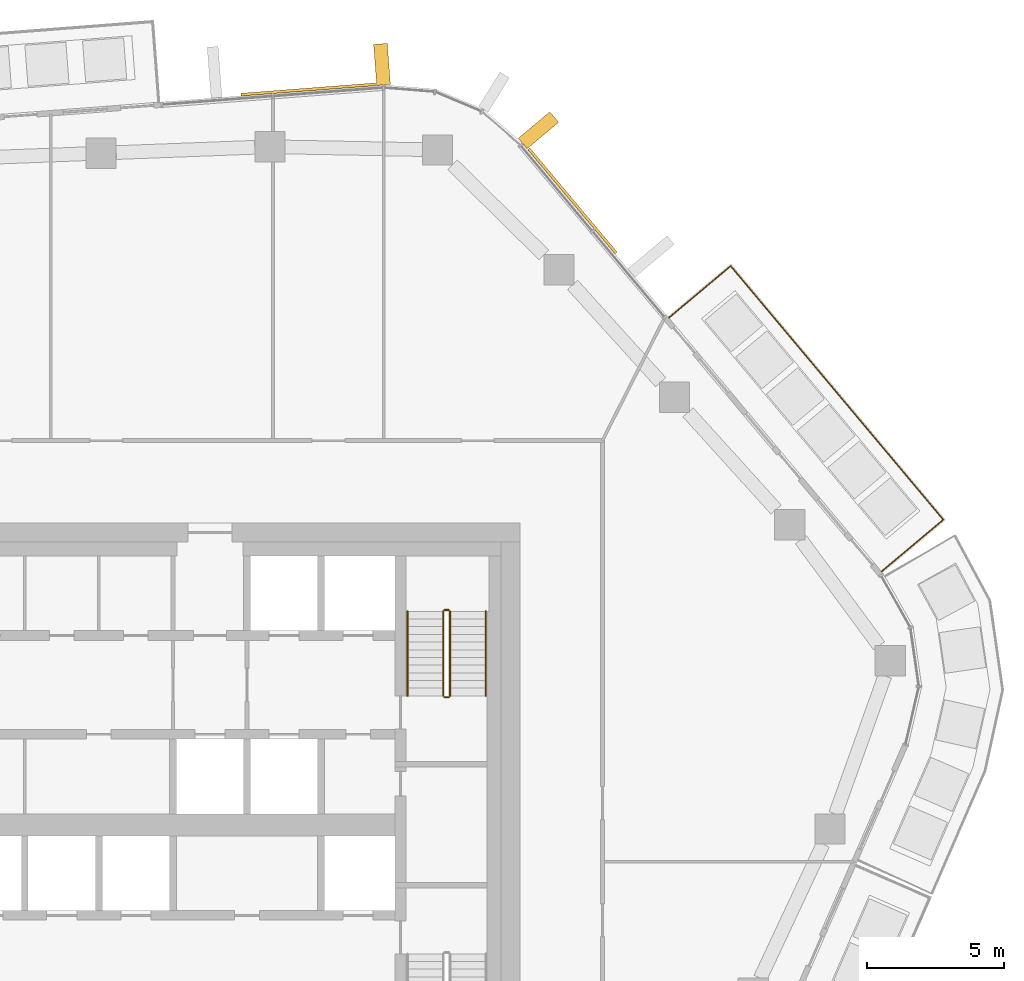
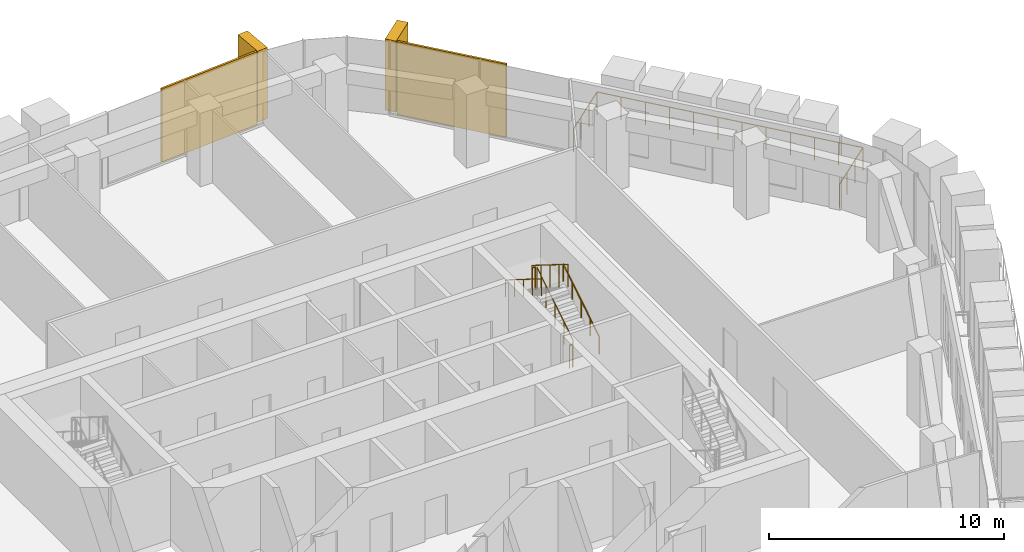
# One storey, part 20 of 20: 7 railings, 4 coverings, 2 elements without a shape of their own.
"""IFC4 building model written with IfcOpenShell, lengths in metres."""

import ifcopenshell
import ifcopenshell.guid

model = None  # the IFC model being written
_history = None  # IfcOwnerHistory: only IFC2X3 demands one
_inside = {}  # id of a spatial element -> (the spatial element, [elements in it])
_under = {}  # id of a project, library or spatial element -> (it, [spatial elements below it])
_declared = {}  # id of a project -> (the project, [libraries it declares])
_typed = {}  # id of a type object -> (the type object, [elements of that type])
_made_of = {}  # id of a material, layer set ... -> (it, [elements and type objects made of it])


def new_model(schema):
    """Start an empty IFC model of exactly this schema.

    Asked for "IFC4X3", IfcOpenShell would pick the latest addendum, in which some entities
    have other attributes; the version numbers below select the first issue.
    IFC2X3 requires an IfcOwnerHistory on every rooted entity: one is made here for all.
    """
    global model, _history
    if schema == "IFC4X3":
        model = ifcopenshell.file(schema_version=(4, 3, 0, 0))
    else:
        model = ifcopenshell.file(schema=schema)
    _inside.clear()
    _under.clear()
    _declared.clear()
    _typed.clear()
    _made_of.clear()
    _history = None
    if model.schema == "IFC2X3":
        org = make("IfcOrganization", Name="unknown")
        user = make(
            "IfcPersonAndOrganization",
            ThePerson=make("IfcPerson", FamilyName="unknown"),
            TheOrganization=org,
        )
        app = make(
            "IfcApplication",
            ApplicationDeveloper=org,
            Version="unknown",
            ApplicationFullName="unknown",
            ApplicationIdentifier="unknown",
        )
        _history = make(
            "IfcOwnerHistory",
            OwningUser=user,
            OwningApplication=app,
            ChangeAction="ADDED",
            CreationDate=0,
        )
    return model


def make(cls, **values):
    """One entity of the class cls with the attributes given. An attribute that is None is left unset."""
    return model.create_entity(
        cls, **{name: value for name, value in values.items() if value is not None}
    )


def rooted(cls, **values):
    """An entity with a GlobalId (a new one), such as an element, a storey or a relation."""
    return make(cls, GlobalId=ifcopenshell.guid.new(), OwnerHistory=_history, **values)


def si_unit(unit_type, name, prefix=None):
    """IfcSIUnit, for example si_unit("LENGTHUNIT", "METRE", prefix="MILLI")."""
    return make("IfcSIUnit", UnitType=unit_type, Prefix=prefix, Name=name)


def assignment(units):
    """IfcUnitAssignment: the units of a project."""
    return None if units is None else make("IfcUnitAssignment", Units=units)


def point(xyz):
    """IfcCartesianPoint."""
    return None if xyz is None else make("IfcCartesianPoint", Coordinates=xyz)


def direction(xyz):
    """IfcDirection."""
    return None if xyz is None else make("IfcDirection", DirectionRatios=xyz)


def frame(location, z_axis=None, x_axis=None):
    """IfcAxis2Placement3D, a coordinate frame: its origin and axes. An axis left out is left unset."""
    return make(
        "IfcAxis2Placement3D",
        Location=point(location),
        Axis=direction(z_axis),
        RefDirection=direction(x_axis),
    )


def frame_2d(location, x_axis=None):
    """IfcAxis2Placement2D, a coordinate frame in the plane: its origin and x axis."""
    return make(
        "IfcAxis2Placement2D", Location=point(location), RefDirection=direction(x_axis)
    )


def origin():
    """The frame at (0, 0, 0) with its axes left unset."""
    return frame((0.0, 0.0, 0.0))


def origin_2d():
    """The frame at (0, 0) in the plane with its x axis left unset."""
    return frame_2d((0.0, 0.0))


def place(relative_to, where):
    """IfcLocalPlacement: puts the frame where relative to a parent placement (None: the world)."""
    return make(
        "IfcLocalPlacement", PlacementRelTo=relative_to, RelativePlacement=where
    )


def context(
    kind, dimensions, precision=None, world=None, true_north=None, identifier=None
):
    """IfcGeometricRepresentationContext, for example the 3D "Model" context."""
    return make(
        "IfcGeometricRepresentationContext",
        ContextIdentifier=identifier,
        ContextType=kind,
        CoordinateSpaceDimension=dimensions,
        Precision=precision,
        WorldCoordinateSystem=world,
        TrueNorth=true_north,
    )


def subcontext(parent, identifier, kind, view, scale=None):
    """IfcGeometricRepresentationSubContext, for example "Body" below "Model"."""
    return make(
        "IfcGeometricRepresentationSubContext",
        ContextIdentifier=identifier,
        ContextType=kind,
        ParentContext=parent,
        TargetScale=scale,
        TargetView=view,
    )


def project(units=None, contexts=None):
    """IfcProject with its units and contexts."""
    return rooted(
        "IfcProject",
        Name="project",
        RepresentationContexts=contexts,
        UnitsInContext=assignment(units),
    )


def spatial(cls, under=None, at=None, **own):
    """A site, building, storey or space (cls), placed at a placement, below another one or the project."""
    s = rooted(cls, ObjectPlacement=at, **own)
    if under is not None:
        _under.setdefault(under.id(), (under, []))[1].append(s)
    return s


def profile(cls, at=None, kind="AREA", **sizes):
    """A parametric profile (cls). Its sizes go by their IFC names, for example OverallWidth=200.0."""
    return make(cls, ProfileType=kind, Position=at, **sizes)


def rectangle(**sizes):
    """IfcRectangleProfileDef."""
    return profile("IfcRectangleProfileDef", **sizes)


def circle(**sizes):
    """IfcCircleProfileDef."""
    return profile("IfcCircleProfileDef", **sizes)


def extrude(swept, where, along, depth):
    """IfcExtrudedAreaSolid: the profile swept, set in the frame where, extruded along a direction by depth."""
    return make(
        "IfcExtrudedAreaSolid",
        SweptArea=swept,
        Position=where,
        ExtrudedDirection=direction(along),
        Depth=depth,
    )


def shape(context_of_items, identifier, shape_type, items):
    """IfcShapeRepresentation: the items that make up one representation, for example the "Body"."""
    return make(
        "IfcShapeRepresentation",
        ContextOfItems=context_of_items,
        RepresentationIdentifier=identifier,
        RepresentationType=shape_type,
        Items=items,
    )


def material(Name=None, Category=None):
    """IfcMaterial."""
    return make("IfcMaterial", Name=Name, Category=Category)


def layer(
    of_material, thickness, ventilated=None, Name=None, Category=None, Priority=None
):
    """IfcMaterialLayer: one layer of a wall or slab, of a material (None: an air gap)."""
    return make(
        "IfcMaterialLayer",
        Material=of_material,
        LayerThickness=thickness,
        IsVentilated=ventilated,
        Name=Name,
        Category=Category,
        Priority=Priority,
    )


def layer_set(layers, Name=None):
    """IfcMaterialLayerSet."""
    return make("IfcMaterialLayerSet", MaterialLayers=layers, LayerSetName=Name)


def material_profile(
    of_material, cross_section, Name=None, Category=None, Priority=None
):
    """IfcMaterialProfile: a cross section and its material."""
    return make(
        "IfcMaterialProfile",
        Name=Name,
        Material=of_material,
        Profile=cross_section,
        Priority=Priority,
        Category=Category,
    )


def profile_set(profiles, Name=None, composite=None):
    """IfcMaterialProfileSet."""
    return make(
        "IfcMaterialProfileSet",
        Name=Name,
        MaterialProfiles=profiles,
        CompositeProfile=composite,
    )


def made_of(thing, what):
    """Note that an element or type object is made of a material, layer set ...; save() writes the relation."""
    if what is not None:
        _made_of.setdefault(what.id(), (what, []))[1].append(thing)
    return thing


def type_object(cls, material=None, **own):
    """A type object (cls), such as IfcWallType, which elements share."""
    return made_of(rooted(cls, **own), material)


def element(
    cls,
    number,
    at=None,
    inside=None,
    cuts=None,
    type_object=None,
    material=None,
    context=None,
    identifier="Body",
    shape_type=None,
    held_by="IfcProductDefinitionShape",
    body=None,
    shapes=None,
    **own,
):
    """One element of the class cls, such as IfcWall. Its Tag is "e" and its number.

    at: its placement. inside: the storey or other place that contains it. cuts: it is an
    opening in that element (IfcRelVoidsElement). A single representation is given by context,
    identifier, shape_type and body (its items); several are given by shapes. held_by: the class
    of the entity that holds the representations. save() writes the other relations.
    """
    e = rooted(cls, Tag="e%d" % number, ObjectPlacement=at, **own)
    if body is not None:
        shapes = [shape(context, identifier, shape_type, body)]
    if shapes is not None:
        e.Representation = make(held_by, Representations=shapes)
    if inside is not None:
        _inside.setdefault(inside.id(), (inside, []))[1].append(e)
    if cuts is not None:
        rooted(
            "IfcRelVoidsElement", RelatingBuildingElement=cuts, RelatedOpeningElement=e
        )
    if type_object is not None:
        _typed.setdefault(type_object.id(), (type_object, []))[1].append(e)
    return made_of(e, material)


def aggregate(whole, parts):
    """IfcRelAggregates: a whole, such as a stair, and the parts it consists of."""
    return rooted("IfcRelAggregates", RelatingObject=whole, RelatedObjects=parts)


def save(model, path):
    """Write the relations noted so far, then the file.

    IfcRelAggregates (storeys below a building ...), IfcRelContainedInSpatialStructure (elements
    in a storey), IfcRelDefinesByType, IfcRelAssociatesMaterial and IfcRelDeclares: one each for
    every whole, place, type object, material and project.
    """
    for whole, parts in _under.values():
        aggregate(whole, parts)
    for where, things in _inside.values():
        rooted(
            "IfcRelContainedInSpatialStructure",
            RelatedElements=things,
            RelatingStructure=where,
        )
    for kind, things in _typed.values():
        rooted("IfcRelDefinesByType", RelatedObjects=things, RelatingType=kind)
    for what, things in _made_of.values():
        rooted("IfcRelAssociatesMaterial", RelatedObjects=things, RelatingMaterial=what)
    for by, libraries in _declared.values():
        rooted("IfcRelDeclares", RelatingContext=by, RelatedDefinitions=libraries)
    model.write(path)


model = new_model("IFC4")

# Units and contexts
model_context = context("Model", 3, precision=1e-05, world=origin(), true_north=direction((0.0, 1.0)))
body_context = subcontext(model_context, "Body", "Model", "MODEL_VIEW")
ifc_project = project(units=[si_unit("LENGTHUNIT", "METRE"), si_unit("AREAUNIT", "SQUARE_METRE"), si_unit("VOLUMEUNIT", "CUBIC_METRE"), si_unit("PLANEANGLEUNIT", "RADIAN"), si_unit("MASSUNIT", "GRAM", prefix="KILO")], contexts=[model_context])

# Site, building, storey
site_placement = place(None, origin())
site = spatial("IfcSite", under=ifc_project, at=site_placement, CompositionType="ELEMENT")
building_placement = place(site_placement, origin())
building = spatial("IfcBuilding", under=site, at=building_placement, Name="Dongbaek Canopy Tower", CompositionType="ELEMENT")
storey_placement = place(building_placement, frame((0.0, 0.0, 245.39990234375)))
storey = spatial("IfcBuildingStorey", under=building, at=storey_placement, Name="L51", CompositionType="ELEMENT", Elevation=245.39990234375)

# Railing
ifc_material_1 = material(Name="Stainless steel", Category="steel")
railing_type_1 = type_object("IfcRailingType", Name="Balcony balustrade 1200", PredefinedType="BALUSTRADE", material=ifc_material_1)
railing_1_placement = place(storey_placement, frame((27.174072265625, 9.232177734375, 0.0)))
element("IfcRailing", 1, at=railing_1_placement, inside=storey, type_object=railing_type_1, Name="Balcony guard L51 1", PredefinedType="BALUSTRADE", context=body_context, shape_type="SweptSolid", body=[
    extrude(circle(Radius=0.02392578125, at=origin_2d()), frame((0.0, 0.0, 1.17578125), z_axis=(0.766373520026, 0.642395227102, 0.0), x_axis=(-0.642395227102, 0.766373520026, 0.0)), (0.0, 0.0, 1.0), 2.93994140625),
    extrude(circle(Radius=0.02392578125, at=origin_2d()), frame((2.253173828125, 1.888671875, 1.17578125), z_axis=(-0.642387276986, 0.76638018396, 0.0), x_axis=(-0.76638018396, -0.642387276986, 0.0)), (0.0, 0.0, 1.0), 12.06396484375),
    extrude(circle(Radius=0.02392578125, at=origin_2d()), frame((-5.49658203125, 11.13427734375, 1.17578125), z_axis=(-0.766373520026, -0.642395227102, 0.0), x_axis=(0.642395227102, -0.766373520026, 0.0)), (0.0, 0.0, 1.0), 2.93994140625),
    extrude(circle(Radius=0.02099609375, at=origin_2d()), origin(), (0.0, 0.0, 1.0), 1.15185546875),
    extrude(circle(Radius=0.02099609375, at=origin_2d()), frame((0.7509765625, 0.629638671875, 0.0)), (0.0, 0.0, 1.0), 1.15185546875),
    extrude(circle(Radius=0.02099609375, at=origin_2d()), frame((1.502197265625, 1.259033203125, 0.0)), (0.0, 0.0, 1.0), 1.15185546875),
    extrude(circle(Radius=0.02099609375, at=origin_2d()), frame((2.253173828125, 1.888671875, 0.0)), (0.0, 0.0, 1.0), 1.15185546875),
    extrude(circle(Radius=0.02099609375, at=origin_2d()), frame((1.548583984375, 2.729248046875, 0.0)), (0.0, 0.0, 1.0), 1.15185546875),
    extrude(circle(Radius=0.02099609375, at=origin_2d()), frame((0.84423828125, 3.569580078125, 0.0)), (0.0, 0.0, 1.0), 1.15185546875),
    extrude(circle(Radius=0.02099609375, at=origin_2d()), frame((0.1396484375, 4.41015625, 0.0)), (0.0, 0.0, 1.0), 1.15185546875),
    extrude(circle(Radius=0.02099609375, at=origin_2d()), frame((-0.56494140625, 5.250732421875, 0.0)), (0.0, 0.0, 1.0), 1.15185546875),
    extrude(circle(Radius=0.02099609375, at=origin_2d()), frame((-1.26953125, 6.09130859375, 0.0)), (0.0, 0.0, 1.0), 1.15185546875),
    extrude(circle(Radius=0.02099609375, at=origin_2d()), frame((-1.973876953125, 6.931640625, 0.0)), (0.0, 0.0, 1.0), 1.15185546875),
    extrude(circle(Radius=0.02099609375, at=origin_2d()), frame((-2.678466796875, 7.772216796875, 0.0)), (0.0, 0.0, 1.0), 1.15185546875),
    extrude(circle(Radius=0.02099609375, at=origin_2d()), frame((-3.383056640625, 8.61279296875, 0.0)), (0.0, 0.0, 1.0), 1.15185546875),
    extrude(circle(Radius=0.02099609375, at=origin_2d()), frame((-4.087646484375, 9.453369140625, 0.0)), (0.0, 0.0, 1.0), 1.15185546875),
    extrude(circle(Radius=0.02099609375, at=origin_2d()), frame((-4.7919921875, 10.293701171875, 0.0)), (0.0, 0.0, 1.0), 1.15185546875),
    extrude(circle(Radius=0.02099609375, at=origin_2d()), frame((-5.49658203125, 11.13427734375, 0.0)), (0.0, 0.0, 1.0), 1.15185546875),
    extrude(circle(Radius=0.02099609375, at=origin_2d()), frame((-6.24755859375, 10.504638671875, 0.0)), (0.0, 0.0, 1.0), 1.15185546875),
    extrude(circle(Radius=0.02099609375, at=origin_2d()), frame((-6.998779296875, 9.875244140625, 0.0)), (0.0, 0.0, 1.0), 1.15185546875),
    extrude(circle(Radius=0.02099609375, at=origin_2d()), frame((-7.749755859375, 9.24560546875, 0.0)), (0.0, 0.0, 1.0), 1.15185546875),
])

# Curtain wall, covering
ifc_material_2 = material(Name="Aluminium 6063-T6 pale anodised", Category="aluminium")
ifc_layer_1 = layer(ifc_material_2, 0.199951171875)
ifc_layer_set_1 = layer_set([ifc_layer_1], Name="CW-1 unitised tower curtain wall")
curtain_wall_type = type_object("IfcCurtainWallType", Name="CW-1 unitised tower curtain wall", PredefinedType="NOTDEFINED", material=ifc_layer_set_1)
curtain_wall_1_placement = place(storey_placement, origin())
curtain_wall_1 = element("IfcCurtainWall", 2, at=curtain_wall_1_placement, inside=storey, type_object=curtain_wall_type, Name="CW-1 curtain wall F0.1", PredefinedType="NOTDEFINED")
ifc_material_3 = material(Name="Perforated aluminium 6063-T6 pale metal screen", Category="aluminium")
ifc_layer_2 = layer(ifc_material_3, 0.10009765625)
ifc_layer_set_2 = layer_set([ifc_layer_2], Name="Facet screen FS1 100 pale metal")
covering_type_1 = type_object("IfcCoveringType", Name="Facet screen FS1 100 pale metal", PredefinedType="CLADDING", material=ifc_layer_set_2)
covering_1_placement = place(storey_placement, frame((15.910888671875, 22.740966796875, 0.0), z_axis=(0.0, 0.0, 1.0), x_axis=(-0.642393109571, 0.766375294993, 0.0)))
covering_1 = element("IfcCovering", 3, at=covering_1_placement, type_object=covering_type_1, Name="Facet screen L51 F0", PredefinedType="CLADDING", context=body_context, shape_type="SweptSolid", body=[
    extrude(rectangle(XDim=4.954345703125, YDim=0.10009765625, at=origin_2d()), origin(), (0.0, 0.0, 1.0), 3.820068359375),
])

curtain_wall_2_placement = place(storey_placement, origin())
curtain_wall_2 = element("IfcCurtainWall", 4, at=curtain_wall_2_placement, inside=storey, type_object=curtain_wall_type, Name="CW-1 curtain wall F1.1", PredefinedType="NOTDEFINED")
covering_2_placement = place(storey_placement, frame((6.28564453125, 26.80126953125, 0.0), z_axis=(0.0, 0.0, 1.0), x_axis=(-0.997068130639, -0.076518905269, 0.0)))
covering_2 = element("IfcCovering", 5, at=covering_2_placement, type_object=covering_type_1, Name="Facet screen L51 F1", PredefinedType="CLADDING", context=body_context, shape_type="SweptSolid", body=[
    extrude(rectangle(XDim=4.91259765625, YDim=0.10009765625, at=origin_2d()), origin(), (0.0, 0.0, 1.0), 3.820068359375),
])

# Covering
ifc_material_4 = material(Name="Aluminium 6063-T6 pale metal fin", Category="aluminium")
ifc_material_profile = material_profile(ifc_material_4, rectangle(XDim=1.5, YDim=0.5, at=origin_2d()), Name="Fin FN1 500 x 1500 pale metal")
ifc_profile_set = profile_set([ifc_material_profile], Name="Aluminium 6063-T6 pale metal fin")
covering_type_2 = type_object("IfcCoveringType", Name="Fin FN1 500 x 1500 pale metal", PredefinedType="CLADDING", material=ifc_profile_set)
covering_3_placement = place(storey_placement, frame((14.672607421875, 25.313720703125, 0.1201171875), z_axis=(0.0, 0.0, 1.0), x_axis=(0.766375296025, 0.64239310834, 0.0)))
covering_3 = element("IfcCovering", 6, at=covering_3_placement, type_object=covering_type_2, Name="Fin F0.1.3", PredefinedType="CLADDING", context=body_context, shape_type="SweptSolid", body=[
    extrude(rectangle(XDim=1.5, YDim=0.5, at=origin_2d()), origin(), (0.0, 0.0, 1.0), 3.699951171875),
])

aggregate(curtain_wall_1, [covering_3, covering_1])

covering_4_placement = place(storey_placement, frame((8.97021484375, 27.71337890625, 0.1201171875), z_axis=(0.0, 0.0, 1.0), x_axis=(-0.076518262748, 0.997068179949, 0.0)))
covering_4 = element("IfcCovering", 7, at=covering_4_placement, type_object=covering_type_2, Name="Fin F1.1.1", PredefinedType="CLADDING", context=body_context, shape_type="SweptSolid", body=[
    extrude(rectangle(XDim=1.5, YDim=0.5, at=origin_2d()), origin(), (0.0, 0.0, 1.0), 3.699951171875),
])

aggregate(curtain_wall_2, [covering_4, covering_2])

# Railings
ifc_material_5 = material(Name="Stainless steel tube and balusters", Category="steel")
railing_type_2 = type_object("IfcRailingType", Name="Stair guard 1200", PredefinedType="GUARDRAIL", material=ifc_material_5)
railing_2_placement = place(storey_placement, frame((11.449951171875, 4.699951171875, 0.175048828125)))
element("IfcRailing", 8, at=railing_2_placement, inside=storey, type_object=railing_type_2, Name="L51 ST-A stair guard 1", PredefinedType="GUARDRAIL", context=body_context, shape_type="SweptSolid", body=[
    extrude(circle(Radius=0.02392578125, at=origin_2d()), frame((0.0, 0.0, 1.17578125), z_axis=(0.0, 0.847998304005, 0.529998940003), x_axis=(-1.0, 0.0, 0.0)), (0.0, 0.0, 1.0), 3.632080078125),
    extrude(circle(Radius=0.02099609375, at=origin_2d()), origin(), (0.0, 0.0, 1.0), 1.15185546875),
    extrude(circle(Radius=0.02099609375, at=origin_2d()), frame((0.0, 0.77001953125, 0.481201171875)), (0.0, 0.0, 1.0), 1.15185546875),
    extrude(circle(Radius=0.02099609375, at=origin_2d()), frame((0.0, 1.5400390625, 0.96240234375)), (0.0, 0.0, 1.0), 1.15185546875),
    extrude(circle(Radius=0.02099609375, at=origin_2d()), frame((0.0, 2.31005859375, 1.44384765625)), (0.0, 0.0, 1.0), 1.15185546875),
    extrude(circle(Radius=0.02099609375, at=origin_2d()), frame((0.0, 3.080078125, 1.925048828125)), (0.0, 0.0, 1.0), 1.15185546875),
])
railing_3_placement = place(storey_placement, frame((11.39990234375, 7.830078125, 2.10009765625)))
element("IfcRailing", 9, at=railing_3_placement, inside=storey, type_object=railing_type_2, Name="L51 ST-A stair guard 2", PredefinedType="GUARDRAIL", context=body_context, shape_type="SweptSolid", body=[
    extrude(circle(Radius=0.02392578125, at=origin_2d()), frame((0.0, 0.0, 1.17578125), z_axis=(-1.0, 0.0, 0.0), x_axis=(0.0, -1.0, 0.0)), (0.0, 0.0, 1.0), 0.14990234375),
    extrude(circle(Radius=0.02099609375, at=origin_2d()), origin(), (0.0, 0.0, 1.0), 1.15185546875),
    extrude(circle(Radius=0.02099609375, at=origin_2d()), frame((-0.14990234375, 0.0, 0.0)), (0.0, 0.0, 1.0), 1.15185546875),
])
railing_4_placement = place(storey_placement, frame((11.199951171875, 7.780029296875, 2.275146484375)))
element("IfcRailing", 10, at=railing_4_placement, inside=storey, type_object=railing_type_2, Name="L51 ST-A stair guard 3", PredefinedType="GUARDRAIL", context=body_context, shape_type="SweptSolid", body=[
    extrude(circle(Radius=0.02392578125, at=origin_2d()), frame((0.0, 0.0, 1.17578125), z_axis=(0.0, -0.847998304005, 0.529998940003), x_axis=(1.0, 0.0, 0.0)), (0.0, 0.0, 1.0), 3.632080078125),
    extrude(circle(Radius=0.02099609375, at=origin_2d()), origin(), (0.0, 0.0, 1.0), 1.15185546875),
    extrude(circle(Radius=0.02099609375, at=origin_2d()), frame((0.0, -0.77001953125, 0.481201171875)), (0.0, 0.0, 1.0), 1.15185546875),
    extrude(circle(Radius=0.02099609375, at=origin_2d()), frame((0.0, -1.5400390625, 0.96240234375)), (0.0, 0.0, 1.0), 1.15185546875),
    extrude(circle(Radius=0.02099609375, at=origin_2d()), frame((0.0, -2.31005859375, 1.44384765625)), (0.0, 0.0, 1.0), 1.15185546875),
    extrude(circle(Radius=0.02099609375, at=origin_2d()), frame((0.0, -3.080078125, 1.925048828125)), (0.0, 0.0, 1.0), 1.15185546875),
])
railing_5_placement = place(storey_placement, frame((11.39990234375, 4.64990234375, 0.0)))
element("IfcRailing", 11, at=railing_5_placement, inside=storey, type_object=railing_type_2, Name="L51 ST-A stair guard 4", PredefinedType="GUARDRAIL", context=body_context, shape_type="SweptSolid", body=[
    extrude(circle(Radius=0.02392578125, at=origin_2d()), frame((0.0, 0.0, 1.17578125), z_axis=(-1.0, 0.0, 0.0), x_axis=(0.0, -1.0, 0.0)), (0.0, 0.0, 1.0), 0.14990234375),
    extrude(circle(Radius=0.02099609375, at=origin_2d()), origin(), (0.0, 0.0, 1.0), 1.15185546875),
    extrude(circle(Radius=0.02099609375, at=origin_2d()), frame((-0.14990234375, 0.0, 0.0)), (0.0, 0.0, 1.0), 1.15185546875),
])
ifc_material_6 = material(Name="Stainless steel tube", Category="steel")
railing_type_3 = type_object("IfcRailingType", Name="Stair handrail 900", PredefinedType="HANDRAIL", material=ifc_material_6)
railing_6_placement = place(storey_placement, frame((12.75, 4.699951171875, 0.175048828125)))
element("IfcRailing", 12, at=railing_6_placement, inside=storey, type_object=railing_type_3, Name="L51 ST-A stair handrail 1", PredefinedType="HANDRAIL", context=body_context, shape_type="SweptSolid", body=[
    extrude(circle(Radius=0.02392578125, at=origin_2d()), frame((0.0, 0.0, 0.8759765625), z_axis=(0.0, 0.847998304005, 0.529998940003), x_axis=(-1.0, 0.0, 0.0)), (0.0, 0.0, 1.0), 3.632080078125),
    extrude(circle(Radius=0.02099609375, at=origin_2d()), origin(), (0.0, 0.0, 1.0), 0.851806640625),
    extrude(circle(Radius=0.02099609375, at=origin_2d()), frame((0.0, 0.77001953125, 0.481201171875)), (0.0, 0.0, 1.0), 0.851806640625),
    extrude(circle(Radius=0.02099609375, at=origin_2d()), frame((0.0, 1.5400390625, 0.96240234375)), (0.0, 0.0, 1.0), 0.851806640625),
    extrude(circle(Radius=0.02099609375, at=origin_2d()), frame((0.0, 2.31005859375, 1.44384765625)), (0.0, 0.0, 1.0), 0.851806640625),
    extrude(circle(Radius=0.02099609375, at=origin_2d()), frame((0.0, 3.080078125, 1.925048828125)), (0.0, 0.0, 1.0), 0.851806640625),
])
railing_7_placement = place(storey_placement, frame((9.89990234375, 7.780029296875, 2.275146484375)))
element("IfcRailing", 13, at=railing_7_placement, inside=storey, type_object=railing_type_3, Name="L51 ST-A stair handrail 2", PredefinedType="HANDRAIL", context=body_context, shape_type="SweptSolid", body=[
    extrude(circle(Radius=0.02392578125, at=origin_2d()), frame((0.0, 0.0, 0.8759765625), z_axis=(0.0, -0.847998304005, 0.529998940003), x_axis=(1.0, 0.0, 0.0)), (0.0, 0.0, 1.0), 3.632080078125),
    extrude(circle(Radius=0.02099609375, at=origin_2d()), origin(), (0.0, 0.0, 1.0), 0.851806640625),
    extrude(circle(Radius=0.02099609375, at=origin_2d()), frame((0.0, -0.77001953125, 0.481201171875)), (0.0, 0.0, 1.0), 0.851806640625),
    extrude(circle(Radius=0.02099609375, at=origin_2d()), frame((0.0, -1.5400390625, 0.96240234375)), (0.0, 0.0, 1.0), 0.851806640625),
    extrude(circle(Radius=0.02099609375, at=origin_2d()), frame((0.0, -2.31005859375, 1.44384765625)), (0.0, 0.0, 1.0), 0.851806640625),
    extrude(circle(Radius=0.02099609375, at=origin_2d()), frame((0.0, -3.080078125, 1.925048828125)), (0.0, 0.0, 1.0), 0.851806640625),
])

save(model, "model.ifc")
